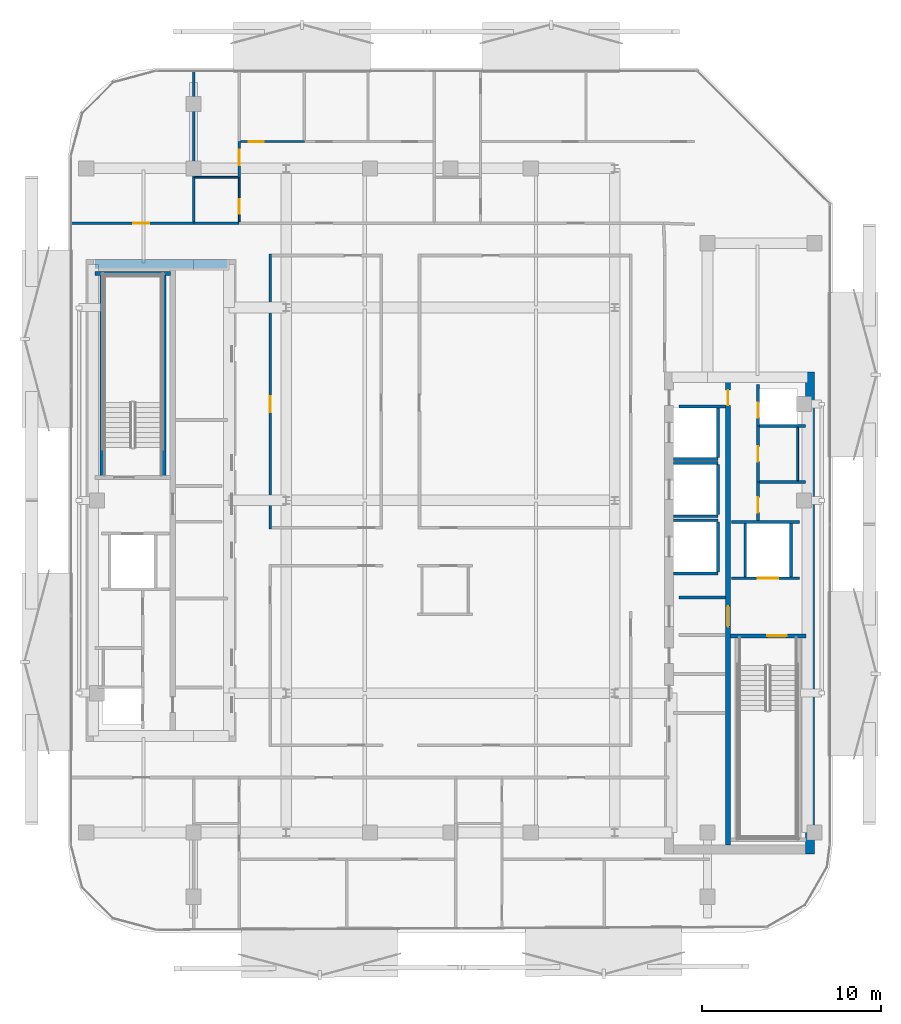
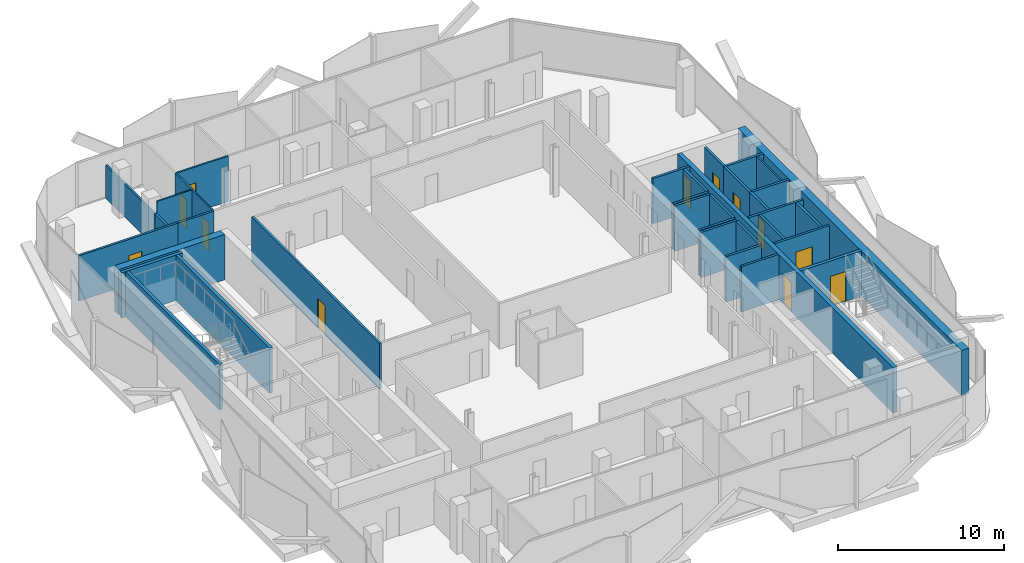
# One storey, part 5 of 15: 36 walls, 12 doors, 12 openings.
"""IFC4 building model written with IfcOpenShell, lengths in metres."""

from ifc_helpers import new_model, si_unit, direction, frame, frame_2d, origin, place, context, subcontext, project, spatial, rectangle, extrude, material, layer, layer_set, type_object, element, fill, save


model = new_model("IFC4")

# Units and contexts
model_context = context("Model", 3, precision=1e-05, world=origin(), true_north=direction((0.0, 1.0)))
body_context = subcontext(model_context, "Body", "Model", "MODEL_VIEW")
ifc_project = project(units=[si_unit("LENGTHUNIT", "METRE"), si_unit("AREAUNIT", "SQUARE_METRE"), si_unit("VOLUMEUNIT", "CUBIC_METRE"), si_unit("PLANEANGLEUNIT", "RADIAN"), si_unit("MASSUNIT", "GRAM", prefix="KILO")], contexts=[model_context])

# Site, building, storey
site_placement = place(None, origin())
site = spatial("IfcSite", under=ifc_project, at=site_placement, CompositionType="ELEMENT")
building_placement = place(site_placement, origin())
building = spatial("IfcBuilding", under=site, at=building_placement, Name="Khairoan Windgate Tower", CompositionType="ELEMENT")
storey_placement = place(building_placement, frame((0.0, 0.0, 262.0)))
storey = spatial("IfcBuildingStorey", under=building, at=storey_placement, Name="L62", CompositionType="ELEMENT", Elevation=262.0)

# Wall
ifc_material_1 = material(Name="Moisture-Resistant Gypsum Partition", Category="gypsum")
ifc_layer_1 = layer(ifc_material_1, 0.10009765625, Name="Moisture-Resistant Gypsum Partition")
ifc_layer_set_1 = layer_set([ifc_layer_1], Name="Moisture-Resistant Gypsum Partition")
wall_type_1 = type_object("IfcWallType", Name="Bathroom Wet-Area Partition Wall", PredefinedType="PARTITIONING", material=ifc_layer_set_1)
wall_1_placement = place(storey_placement, frame((-14.300048828125, 18.10009765625, 0.0), z_axis=(0.0, 0.0, 1.0), x_axis=(1.0, 0.0, 0.0)))
element("IfcWall", 1, at=wall_1_placement, inside=storey, type_object=wall_type_1, Name="L62 Interior Partition 041", PredefinedType="PARTITIONING", context=body_context, shape_type="SweptSolid", body=[
    extrude(rectangle(XDim=2.420166015625, YDim=0.10009765625, at=frame_2d((1.2099609375, 0.0))), origin(), (0.0, 0.0, 1.0), 3.340087890625),
])

# Wall, opening, door
wall_2_placement = place(storey_placement, frame((-11.830078125, 15.60009765625, 0.0), z_axis=(0.0, 0.0, 1.0), x_axis=(0.0, 1.0, 0.0)))
wall_2 = element("IfcWall", 2, at=wall_2_placement, inside=storey, type_object=wall_type_1, Name="L62 Interior Partition 042", PredefinedType="PARTITIONING", context=body_context, shape_type="SweptSolid", body=[
    extrude(rectangle(XDim=2.5, YDim=0.10009765625, at=frame_2d((1.25, 0.0))), origin(), (0.0, 0.0, 1.0), 3.340087890625),
])
opening_1_placement = place(wall_2_placement, frame((0.4599609375, 0.0, 0.0)))
opening_1 = element("IfcOpeningElement", 3, at=opening_1_placement, cuts=wall_2, Name="Opening ID-BTH", PredefinedType="OPENING", context=body_context, shape_type="SweptSolid", body=[
    extrude(rectangle(XDim=0.800048828125, YDim=2.10009765625, at=frame_2d((0.39990234375, 1.050048828125))), frame((0.0, 0.06005859375, 0.0), z_axis=(0.0, -1.0, 0.0), x_axis=(1.0, 0.0, 0.0)), (0.0, 0.0, 1.0), 0.1201171875),
])
ifc_material_2 = material(Name="Teak Veneer Timber Leaf", Category="wood")
door_type_1 = type_object("IfcDoorType", Name="Internal Bathroom Door ID-BTH 800x2100", OperationType="NOTDEFINED", PredefinedType="DOOR", material=ifc_material_2)
door_1_placement = place(opening_1_placement, origin())
door_1 = element("IfcDoor", 4, at=door_1_placement, inside=storey, type_object=door_type_1, Name="L62 L62-35-L62-37 Door", OperationType="SINGLE_SWING_RIGHT", OverallHeight=2.10009765625, OverallWidth=0.800048828125, PredefinedType="DOOR", context=body_context, shape_type="SweptSolid", body=[
    extrude(rectangle(XDim=0.800048828125, YDim=2.10009765625, at=frame_2d((0.39990234375, 1.050048828125))), frame((0.0, 0.02490234375, 0.0), z_axis=(0.0, -1.0, 0.0), x_axis=(1.0, 0.0, 0.0)), (0.0, 0.0, 1.0), 0.050048828125),
])
fill(opening_1, door_1)

# Walls
wall_3_placement = place(storey_placement, frame((19.449951171875, 4.090087890625, 0.0), z_axis=(0.0, 0.0, 1.0), x_axis=(0.0, -1.0, 0.0)))
element("IfcWall", 5, at=wall_3_placement, inside=storey, type_object=wall_type_1, Name="L62 Wet Room Side Wall 084", PredefinedType="PARTITIONING", context=body_context, shape_type="SweptSolid", body=[
    extrude(rectangle(XDim=2.97998046875, YDim=0.10009765625, at=frame_2d((1.489990234375, 0.0))), origin(), (0.0, 0.0, 1.0), 3.340087890625),
])
ifc_material_3 = material(Name="Concrete C40/50", Category="concrete")
ifc_layer_2 = layer(ifc_material_3, 0.159912109375, Name="Concrete C40/50")
ifc_layer_set_2 = layer_set([ifc_layer_2], Name="Concrete C40/50")
wall_type_2 = type_object("IfcWallType", Name="Core and Hoistway Enclosure Wall", PredefinedType="STANDARD", material=ifc_layer_set_2)
wall_4_placement = place(storey_placement, frame((12.5, 2.31005859375, 0.0), z_axis=(0.0, 0.0, 1.0), x_axis=(1.0, 0.0, 0.0)))
element("IfcWall", 6, at=wall_4_placement, inside=storey, type_object=wall_type_2, Name="L62 Lift PL7 Hoistway Divider S", PredefinedType="STANDARD", context=body_context, shape_type="SweptSolid", body=[
    extrude(rectangle(XDim=2.489990234375, YDim=0.159912109375, at=frame_2d((1.2451171875, 0.0))), origin(), (0.0, 0.0, 1.0), 3.340087890625),
])
wall_5_placement = place(storey_placement, frame((14.989990234375, 2.39990234375, 0.0), z_axis=(0.0, 0.0, 1.0), x_axis=(0.0, 1.0, 0.0)))
element("IfcWall", 7, at=wall_5_placement, inside=storey, type_object=wall_type_2, Name="L62 Lift PL7 Hoistway Back Wall", PredefinedType="STANDARD", context=body_context, shape_type="SweptSolid", body=[
    extrude(rectangle(XDim=2.800048828125, YDim=0.159912109375, at=frame_2d((1.39990234375, 0.0))), origin(), (0.0, 0.0, 1.0), 3.340087890625),
])
for number, where, z_axis, x_axis, name in (
    (8, (12.5, -0.889892578125, 0.0), (0.0, 0.0, 1.0), (1.0, 0.0, 0.0), "L62 Lift PL8 Hoistway Divider S"),
    (9, (12.5, 2.090087890625, 0.0), (0.0, 0.0, 1.0), (1.0, 0.0, 0.0), "L62 Lift PL8 Hoistway Divider N"),
):
    element("IfcWall", number, at=place(storey_placement, frame(where, z_axis=z_axis, x_axis=x_axis)), inside=storey, type_object=wall_type_2, Name=name, PredefinedType="STANDARD", context=body_context, shape_type="SweptSolid", body=[
        extrude(rectangle(XDim=2.489990234375, YDim=0.159912109375, at=frame_2d((1.2451171875, 0.0))), origin(), (0.0, 0.0, 1.0), 3.340087890625),
    ])
wall_6_placement = place(storey_placement, frame((14.989990234375, -0.800048828125, 0.0), z_axis=(0.0, 0.0, 1.0), x_axis=(0.0, 1.0, 0.0)))
element("IfcWall", 10, at=wall_6_placement, inside=storey, type_object=wall_type_2, Name="L62 Lift PL8 Hoistway Back Wall", PredefinedType="STANDARD", context=body_context, shape_type="SweptSolid", body=[
    extrude(rectangle(XDim=2.800048828125, YDim=0.159912109375, at=frame_2d((1.39990234375, 0.0))), origin(), (0.0, 0.0, 1.0), 3.340087890625),
])
for number, where, z_axis, x_axis, name in (
    (11, (12.5, -4.090087890625, 0.0), (0.0, 0.0, 1.0), (1.0, 0.0, 0.0), "L62 Lift PL9 Hoistway Divider S"),
    (12, (12.5, -1.110107421875, 0.0), (0.0, 0.0, 1.0), (1.0, 0.0, 0.0), "L62 Lift PL9 Hoistway Divider N"),
):
    element("IfcWall", number, at=place(storey_placement, frame(where, z_axis=z_axis, x_axis=x_axis)), inside=storey, type_object=wall_type_2, Name=name, PredefinedType="STANDARD", context=body_context, shape_type="SweptSolid", body=[
        extrude(rectangle(XDim=2.489990234375, YDim=0.159912109375, at=frame_2d((1.2451171875, 0.0))), origin(), (0.0, 0.0, 1.0), 3.340087890625),
    ])
wall_7_placement = place(storey_placement, frame((14.989990234375, -4.0, 0.0), z_axis=(0.0, 0.0, 1.0), x_axis=(0.0, 1.0, 0.0)))
element("IfcWall", 13, at=wall_7_placement, inside=storey, type_object=wall_type_2, Name="L62 Lift PL9 Hoistway Back Wall", PredefinedType="STANDARD", context=body_context, shape_type="SweptSolid", body=[
    extrude(rectangle(XDim=2.800048828125, YDim=0.159912109375, at=frame_2d((1.39990234375, 0.0))), origin(), (0.0, 0.0, 1.0), 3.340087890625),
])

# Wall, opening, door
wall_8_placement = place(storey_placement, frame((15.75, -4.360107421875, 0.0), z_axis=(0.0, 0.0, 1.0), x_axis=(1.0, 0.0, 0.0)))
wall_8 = element("IfcWall", 14, at=wall_8_placement, inside=storey, type_object=wall_type_2, Name="L62 Core Shaft Wall SW-FL1-L62", PredefinedType="STANDARD", context=body_context, shape_type="SweptSolid", body=[
    extrude(rectangle(XDim=3.800048828125, YDim=0.159912109375, at=frame_2d((1.89990234375, 0.0))), origin(), (0.0, 0.0, 1.0), 3.340087890625),
])
opening_2_placement = place(wall_8_placement, frame((1.469970703125, 0.0, 0.0)))
opening_2 = element("IfcOpeningElement", 15, at=opening_2_placement, cuts=wall_8, Name="Opening LD-FL", PredefinedType="OPENING", context=body_context, shape_type="SweptSolid", body=[
    extrude(rectangle(XDim=1.14990234375, YDim=2.199951171875, at=frame_2d((0.574951171875, 1.10009765625))), frame((0.0, 0.08984375, 0.0), z_axis=(0.0, -1.0, 0.0), x_axis=(1.0, 0.0, 0.0)), (0.0, 0.0, 1.0), 0.179931640625),
])
ifc_material_4 = material(Name="Steel S355", Category="steel")
door_type_2 = type_object("IfcDoorType", Name="Firefighting Lift Sliding Landing Door LD-FL 1150x2200", OperationType="DOUBLE_DOOR_SLIDING", PredefinedType="DOOR", material=ifc_material_4)
door_2_placement = place(opening_2_placement, origin())
door_2 = element("IfcDoor", 16, at=door_2_placement, inside=storey, type_object=door_type_2, Name="L62 Firefighting Lift FL1 Landing Door", OperationType="DOUBLE_DOOR_SLIDING", OverallHeight=2.199951171875, OverallWidth=1.14990234375, PredefinedType="DOOR", context=body_context, shape_type="SweptSolid", body=[
    extrude(rectangle(XDim=1.14990234375, YDim=2.199951171875, at=frame_2d((0.574951171875, 1.10009765625))), frame((0.0, 0.02490234375, 0.0), z_axis=(0.0, -1.0, 0.0), x_axis=(1.0, 0.0, 0.0)), (0.0, 0.0, 1.0), 0.050048828125),
])
fill(opening_2, door_2)

# Walls
wall_9_placement = place(storey_placement, frame((15.75, -1.219970703125, 0.0), z_axis=(0.0, 0.0, 1.0), x_axis=(1.0, 0.0, 0.0)))
element("IfcWall", 17, at=wall_9_placement, inside=storey, type_object=wall_type_2, Name="L62 Core Shaft Wall SW-FL1T-L62", PredefinedType="STANDARD", context=body_context, shape_type="SweptSolid", body=[
    extrude(rectangle(XDim=3.800048828125, YDim=0.159912109375, at=frame_2d((1.89990234375, 0.0))), origin(), (0.0, 0.0, 1.0), 3.340087890625),
])
for number, where, z_axis, x_axis, name in (
    (18, (16.52001953125, -4.280029296875, 0.0), (0.0, 0.0, 1.0), (0.0, 1.0, 0.0), "L62 Core Shaft Wall SW-FL1W-L62"),
    (19, (19.080078125, -4.280029296875, 0.0), (0.0, 0.0, 1.0), (0.0, 1.0, 0.0), "L62 Core Shaft Wall SW-FL1E-L62"),
):
    element("IfcWall", number, at=place(storey_placement, frame(where, z_axis=z_axis, x_axis=x_axis)), inside=storey, type_object=wall_type_2, Name=name, PredefinedType="STANDARD", context=body_context, shape_type="SweptSolid", body=[
        extrude(rectangle(XDim=2.97998046875, YDim=0.159912109375, at=frame_2d((1.489990234375, 0.0))), origin(), (0.0, 0.0, 1.0), 3.340087890625),
    ])
for number, where, z_axis, x_axis, name in (
    (20, (12.800048828125, -5.449951171875, 0.0), (0.0, 0.0, 1.0), (1.0, 0.0, 0.0), "L62 Core Shaft Wall SW-EV1-L62"),
    (21, (12.800048828125, 5.25, 0.0), (0.0, 0.0, 1.0), (1.0, 0.0, 0.0), "L62 Core Shaft Wall SW-ESV-L62"),
):
    element("IfcWall", number, at=place(storey_placement, frame(where, z_axis=z_axis, x_axis=x_axis)), inside=storey, type_object=wall_type_2, Name=name, PredefinedType="STANDARD", context=body_context, shape_type="SweptSolid", body=[
        extrude(rectangle(XDim=2.599853515625, YDim=0.159912109375, at=frame_2d((1.2998046875, 0.0))), origin(), (0.0, 0.0, 1.0), 3.340087890625),
    ])
ifc_material_5 = material(Name="Acoustic Fire-Rated Gypsum Partition", Category="gypsum")
ifc_layer_3 = layer(ifc_material_5, 0.139892578125, Name="Acoustic Fire-Rated Gypsum Partition")
ifc_layer_set_3 = layer_set([ifc_layer_3], Name="Acoustic Fire-Rated Gypsum Partition")
wall_type_3 = type_object("IfcWallType", Name="Inter-Tenancy Compartment Wall", PredefinedType="PARTITIONING", material=ifc_layer_set_3)
wall_10_placement = place(storey_placement, frame((-14.3701171875, 15.60009765625, 0.0), z_axis=(0.0, 0.0, 1.0), x_axis=(0.0, 1.0, 0.0)))
element("IfcWall", 22, at=wall_10_placement, inside=storey, type_object=wall_type_3, Name="L62 Interior Partition 043", PredefinedType="PARTITIONING", context=body_context, shape_type="SweptSolid", body=[
    extrude(rectangle(XDim=2.5, YDim=0.139892578125, at=frame_2d((1.25, 0.0))), origin(), (0.0, 0.0, 1.0), 2.43994140625),
])
wall_11_placement = place(storey_placement, frame((-14.3701171875, 18.10009765625, 0.0), z_axis=(0.0, 0.0, 1.0), x_axis=(0.0, 1.0, 0.0)))
element("IfcWall", 23, at=wall_11_placement, inside=storey, type_object=wall_type_3, Name="L62 Interior Partition 046", PredefinedType="PARTITIONING", context=body_context, shape_type="SweptSolid", body=[
    extrude(rectangle(XDim=5.954833984375, YDim=0.139892578125, at=frame_2d((2.9775390625, 0.0))), origin(), (0.0, 0.0, 1.0), 2.43994140625),
])

# Wall, opening, door
ifc_material_6 = material(Name="Gypsum Stud Partition", Category="gypsum")
ifc_layer_4 = layer(ifc_material_6, 0.1201171875, Name="Gypsum Stud Partition")
ifc_layer_set_4 = layer_set([ifc_layer_4], Name="Gypsum Stud Partition")
wall_type_4 = type_object("IfcWallType", Name="Internal Room Partition Wall", PredefinedType="PARTITIONING", material=ifc_layer_set_4)
wall_12_placement = place(storey_placement, frame((-11.830078125, 18.10009765625, 0.0), z_axis=(0.0, 0.0, 1.0), x_axis=(0.0, 1.0, 0.0)))
wall_12 = element("IfcWall", 24, at=wall_12_placement, inside=storey, type_object=wall_type_4, Name="L62 Interior Partition 044", PredefinedType="PARTITIONING", context=body_context, shape_type="SweptSolid", body=[
    extrude(rectangle(XDim=2.0, YDim=0.1201171875, at=frame_2d((1.0, 0.0))), origin(), (0.0, 0.0, 1.0), 3.340087890625),
])
opening_3_placement = place(wall_12_placement, frame((0.679931640625, 0.0, 0.0)))
opening_3 = element("IfcOpeningElement", 25, at=opening_3_placement, cuts=wall_12, Name="Opening ID-RM", PredefinedType="OPENING", context=body_context, shape_type="SweptSolid", body=[
    extrude(rectangle(XDim=0.860107421875, YDim=2.14990234375, at=frame_2d((0.43017578125, 1.074951171875))), frame((0.0, 0.070068359375, 0.0), z_axis=(0.0, -1.0, 0.0), x_axis=(1.0, 0.0, 0.0)), (0.0, 0.0, 1.0), 0.14013671875),
])
ifc_material_7 = material(Name="Teak Veneer Timber Leaf", Category="wood")
door_type_3 = type_object("IfcDoorType", Name="Internal Bedroom and Office Door ID-RM 860x2150", OperationType="NOTDEFINED", PredefinedType="DOOR", material=ifc_material_7)
door_3_placement = place(opening_3_placement, origin())
door_3 = element("IfcDoor", 26, at=door_3_placement, inside=storey, type_object=door_type_3, Name="L62 L62-36-L62-37 Door", OperationType="SINGLE_SWING_LEFT", OverallHeight=2.14990234375, OverallWidth=0.860107421875, PredefinedType="DOOR", context=body_context, shape_type="SweptSolid", body=[
    extrude(rectangle(XDim=0.860107421875, YDim=2.14990234375, at=frame_2d((0.43017578125, 1.074951171875))), frame((0.0, 0.02490234375, 0.0), z_axis=(0.0, -1.0, 0.0), x_axis=(1.0, 0.0, 0.0)), (0.0, 0.0, 1.0), 0.050048828125),
])
fill(opening_3, door_3)

wall_13_placement = place(storey_placement, frame((-11.77001953125, 20.10009765625, 0.0), z_axis=(0.0, 0.0, 1.0), x_axis=(1.0, 0.0, 0.0)))
wall_13 = element("IfcWall", 27, at=wall_13_placement, inside=storey, type_object=wall_type_4, Name="L62 Interior Partition 047", PredefinedType="PARTITIONING", context=body_context, shape_type="SweptSolid", body=[
    extrude(rectangle(XDim=3.5830078125, YDim=0.1201171875, at=frame_2d((1.79150390625, 0.0))), origin(), (0.0, 0.0, 1.0), 3.340087890625),
])
opening_4_placement = place(wall_13_placement, frame((0.4599609375, 0.0, 0.0)))
opening_4 = element("IfcOpeningElement", 28, at=opening_4_placement, cuts=wall_13, Name="Opening ID-RM", PredefinedType="OPENING", context=body_context, shape_type="SweptSolid", body=[
    extrude(rectangle(XDim=0.860107421875, YDim=2.14990234375, at=frame_2d((0.43017578125, 1.074951171875))), frame((0.0, 0.070068359375, 0.0), z_axis=(0.0, -1.0, 0.0), x_axis=(1.0, 0.0, 0.0)), (0.0, 0.0, 1.0), 0.14013671875),
])
door_4_placement = place(opening_4_placement, origin())
door_4 = element("IfcDoor", 29, at=door_4_placement, inside=storey, type_object=door_type_3, Name="L62 L62-37-L62-38 Door", OperationType="SINGLE_SWING_RIGHT", OverallHeight=2.14990234375, OverallWidth=0.860107421875, PredefinedType="DOOR", context=body_context, shape_type="SweptSolid", body=[
    extrude(rectangle(XDim=0.860107421875, YDim=2.14990234375, at=frame_2d((0.43017578125, 1.074951171875))), frame((0.0, 0.02490234375, 0.0), z_axis=(0.0, -1.0, 0.0), x_axis=(1.0, 0.0, 0.0)), (0.0, 0.0, 1.0), 0.050048828125),
])
fill(opening_4, door_4)

ifc_material_8 = material(Name="Concrete C40/50", Category="concrete")
ifc_layer_5 = layer(ifc_material_8, 0.159912109375, Name="Concrete C40/50")
ifc_layer_set_5 = layer_set([ifc_layer_5], Name="Concrete C40/50")
wall_type_5 = type_object("IfcWallType", Name="Plant and Refuge Compartment Wall", PredefinedType="PARTITIONING", material=ifc_layer_set_5)
wall_14_placement = place(storey_placement, frame((17.22998046875, 4.169921875, 0.0), z_axis=(0.0, 0.0, 1.0), x_axis=(0.0, 1.0, 0.0)))
wall_14 = element("IfcWall", 30, at=wall_14_placement, inside=storey, type_object=wall_type_5, Name="L62 Interior Partition 008", PredefinedType="PARTITIONING", context=body_context, shape_type="SweptSolid", body=[
    extrude(rectangle(XDim=2.320068359375, YDim=0.159912109375, at=frame_2d((1.16015625, 0.0))), origin(), (0.0, 0.0, 1.0), 3.340087890625),
])
opening_5_placement = place(wall_14_placement, frame((0.4599609375, 0.0, 0.0)))
opening_5 = element("IfcOpeningElement", 31, at=opening_5_placement, cuts=wall_14, Name="Opening FD-SRV", PredefinedType="OPENING", context=body_context, shape_type="SweptSolid", body=[
    extrude(rectangle(XDim=0.85009765625, YDim=2.10009765625, at=frame_2d((0.425048828125, 1.050048828125))), frame((0.0, 0.08984375, 0.0), z_axis=(0.0, -1.0, 0.0), x_axis=(1.0, 0.0, 0.0)), (0.0, 0.0, 1.0), 0.179931640625),
])
ifc_material_9 = material(Name="Steel S355", Category="steel")
door_type_4 = type_object("IfcDoorType", Name="Core Service and Riser Fire Door FD-SRV 850x2100", OperationType="NOTDEFINED", PredefinedType="DOOR", material=ifc_material_9)
door_5_placement = place(opening_5_placement, origin())
door_5 = element("IfcDoor", 32, at=door_5_placement, inside=storey, type_object=door_type_4, Name="L62 L62-17-L62-18 Door", OperationType="SINGLE_SWING_LEFT", OverallHeight=2.10009765625, OverallWidth=0.85009765625, PredefinedType="DOOR", context=body_context, shape_type="SweptSolid", body=[
    extrude(rectangle(XDim=0.85009765625, YDim=2.10009765625, at=frame_2d((0.425048828125, 1.050048828125))), frame((0.0, 0.02490234375, 0.0), z_axis=(0.0, -1.0, 0.0), x_axis=(1.0, 0.0, 0.0)), (0.0, 0.0, 1.0), 0.050048828125),
])
fill(opening_5, door_5)

wall_15_placement = place(storey_placement, frame((17.22998046875, -1.139892578125, 0.0), z_axis=(0.0, 0.0, 1.0), x_axis=(0.0, 1.0, 0.0)))
wall_15 = element("IfcWall", 33, at=wall_15_placement, inside=storey, type_object=wall_type_5, Name="L62 Interior Partition 009", PredefinedType="PARTITIONING", context=body_context, shape_type="SweptSolid", body=[
    extrude(rectangle(XDim=2.169921875, YDim=0.159912109375, at=frame_2d((1.0849609375, 0.0))), origin(), (0.0, 0.0, 1.0), 3.340087890625),
])
opening_6_placement = place(wall_15_placement, frame((0.4599609375, 0.0, 0.0)))
opening_6 = element("IfcOpeningElement", 34, at=opening_6_placement, cuts=wall_15, Name="Opening FD-SRV", PredefinedType="OPENING", context=body_context, shape_type="SweptSolid", body=[
    extrude(rectangle(XDim=0.85009765625, YDim=2.10009765625, at=frame_2d((0.425048828125, 1.050048828125))), frame((0.0, 0.08984375, 0.0), z_axis=(0.0, -1.0, 0.0), x_axis=(1.0, 0.0, 0.0)), (0.0, 0.0, 1.0), 0.179931640625),
])
door_6_placement = place(opening_6_placement, origin())
door_6 = element("IfcDoor", 35, at=door_6_placement, inside=storey, type_object=door_type_4, Name="L62 L62-17-L62-19 Door", OperationType="SINGLE_SWING_RIGHT", OverallHeight=2.10009765625, OverallWidth=0.85009765625, PredefinedType="DOOR", context=body_context, shape_type="SweptSolid", body=[
    extrude(rectangle(XDim=0.85009765625, YDim=2.10009765625, at=frame_2d((0.425048828125, 1.050048828125))), frame((0.0, 0.02490234375, 0.0), z_axis=(0.0, -1.0, 0.0), x_axis=(1.0, 0.0, 0.0)), (0.0, 0.0, 1.0), 0.050048828125),
])
fill(opening_6, door_6)

wall_16_placement = place(storey_placement, frame((17.22998046875, 1.030029296875, 0.0), z_axis=(0.0, 0.0, 1.0), x_axis=(0.0, 1.0, 0.0)))
wall_16 = element("IfcWall", 36, at=wall_16_placement, inside=storey, type_object=wall_type_5, Name="L62 Interior Partition 010", PredefinedType="PARTITIONING", context=body_context, shape_type="SweptSolid", body=[
    extrude(rectangle(XDim=3.139892578125, YDim=0.159912109375, at=frame_2d((1.56982421875, 0.0))), origin(), (0.0, 0.0, 1.0), 3.340087890625),
])
opening_7_placement = place(wall_16_placement, frame((1.14501953125, 0.0, 0.0)))
opening_7 = element("IfcOpeningElement", 37, at=opening_7_placement, cuts=wall_16, Name="Opening FD-SRV", PredefinedType="OPENING", context=body_context, shape_type="SweptSolid", body=[
    extrude(rectangle(XDim=0.85009765625, YDim=2.10009765625, at=frame_2d((0.425048828125, 1.050048828125))), frame((0.0, 0.08984375, 0.0), z_axis=(0.0, -1.0, 0.0), x_axis=(1.0, 0.0, 0.0)), (0.0, 0.0, 1.0), 0.179931640625),
])
door_7_placement = place(opening_7_placement, origin())
door_7 = element("IfcDoor", 38, at=door_7_placement, inside=storey, type_object=door_type_4, Name="L62 L62-17-L62-20 Door", OperationType="SINGLE_SWING_LEFT", OverallHeight=2.10009765625, OverallWidth=0.85009765625, PredefinedType="DOOR", context=body_context, shape_type="SweptSolid", body=[
    extrude(rectangle(XDim=0.85009765625, YDim=2.10009765625, at=frame_2d((0.425048828125, 1.050048828125))), frame((0.0, 0.02490234375, 0.0), z_axis=(0.0, -1.0, 0.0), x_axis=(1.0, 0.0, 0.0)), (0.0, 0.0, 1.0), 0.050048828125),
])
fill(opening_7, door_7)

# Walls
for number, where, z_axis, x_axis, name in (
    (39, (17.31005859375, 4.169921875, 0.0), (0.0, 0.0, 1.0), (1.0, 0.0, 0.0), "L62 Interior Partition 011"),
    (40, (17.31005859375, 1.030029296875, 0.0), (0.0, 0.0, 1.0), (1.0, 0.0, 0.0), "L62 Interior Partition 012"),
):
    element("IfcWall", number, at=place(storey_placement, frame(where, z_axis=z_axis, x_axis=x_axis)), inside=storey, type_object=wall_type_5, Name=name, PredefinedType="PARTITIONING", context=body_context, shape_type="SweptSolid", body=[
        extrude(rectangle(XDim=2.58984375, YDim=0.159912109375, at=frame_2d((1.294921875, 0.0))), origin(), (0.0, 0.0, 1.0), 3.340087890625),
    ])

# Wall, opening, door
ifc_material_10 = material(Name="Acoustic Fire-Rated Gypsum Partition", Category="gypsum")
ifc_layer_6 = layer(ifc_material_10, 0.14990234375, Name="Acoustic Fire-Rated Gypsum Partition")
ifc_layer_set_6 = layer_set([ifc_layer_6], Name="Acoustic Fire-Rated Gypsum Partition")
wall_type_6 = type_object("IfcWallType", Name="Rated Corridor Partition Wall", PredefinedType="PARTITIONING", material=ifc_layer_set_6)
wall_17_placement = place(storey_placement, frame((-10.10009765625, -1.610107421875, 0.0), z_axis=(0.0, 0.0, 1.0), x_axis=(0.0, 1.0, 0.0)))
wall_17 = element("IfcWall", 41, at=wall_17_placement, inside=storey, type_object=wall_type_6, Name="L62 Interior Partition 015", PredefinedType="PARTITIONING", context=body_context, shape_type="SweptSolid", body=[
    extrude(rectangle(XDim=15.405029296875, YDim=0.14990234375, at=frame_2d((7.70263671875, 0.0))), origin(), (0.0, 0.0, 1.0), 3.340087890625),
])
opening_8_placement = place(wall_17_placement, frame((6.542724609375, 0.0, 0.0)))
opening_8 = element("IfcOpeningElement", 42, at=opening_8_placement, cuts=wall_17, Name="Opening FD-ENT", PredefinedType="OPENING", context=body_context, shape_type="SweptSolid", body=[
    extrude(rectangle(XDim=0.89990234375, YDim=2.14990234375, at=frame_2d((0.449951171875, 1.074951171875))), frame((0.0, 0.0849609375, 0.0), z_axis=(0.0, -1.0, 0.0), x_axis=(1.0, 0.0, 0.0)), (0.0, 0.0, 1.0), 0.169921875),
])
ifc_material_11 = material(Name="Timber Fire-Rated Core", Category="wood")
door_type_5 = type_object("IfcDoorType", Name="Unit and Office Fire Entrance Door FD-ENT 900x2150", OperationType="NOTDEFINED", PredefinedType="DOOR", material=ifc_material_11)
door_8_placement = place(opening_8_placement, origin())
door_8 = element("IfcDoor", 43, at=door_8_placement, inside=storey, type_object=door_type_5, Name="L62 L62-29-L62-59 Door", OperationType="SINGLE_SWING_RIGHT", OverallHeight=2.14990234375, OverallWidth=0.89990234375, PredefinedType="DOOR", context=body_context, shape_type="SweptSolid", body=[
    extrude(rectangle(XDim=0.89990234375, YDim=2.14990234375, at=frame_2d((0.449951171875, 1.074951171875))), frame((0.0, 0.02490234375, 0.0), z_axis=(0.0, -1.0, 0.0), x_axis=(1.0, 0.0, 0.0)), (0.0, 0.0, 1.0), 0.050048828125),
])
fill(opening_8, door_8)

# Wall
wall_18_placement = place(storey_placement, frame((-14.3701171875, 15.52490234375, 0.0), z_axis=(0.0, 0.0, 1.0), x_axis=(1.0, 0.0, 0.0)))
element("IfcWall", 44, at=wall_18_placement, inside=storey, type_object=wall_type_6, Name="L62 Interior Partition 026", PredefinedType="PARTITIONING", context=body_context, shape_type="SweptSolid", body=[
    extrude(rectangle(XDim=2.5400390625, YDim=0.14990234375, at=frame_2d((1.27001953125, 0.0))), origin(), (0.0, 0.0, 1.0), 3.340087890625),
])

# Wall, opening, door
wall_19_placement = place(storey_placement, frame((-21.2548828125, 15.52001953125, 0.0), z_axis=(0.0, 0.0, 1.0), x_axis=(0.999999748504, 0.00070921968, 0.0)))
wall_19 = element("IfcWall", 45, at=wall_19_placement, inside=storey, type_object=wall_type_6, Name="L62 Interior Partition 031", PredefinedType="PARTITIONING", context=body_context, shape_type="SweptSolid", body=[
    extrude(rectangle(XDim=6.884765625, YDim=0.14990234375, at=frame_2d((3.4423828125, 0.0))), origin(), (0.0, 0.0, 1.0), 3.340087890625),
])
opening_9_placement = place(wall_19_placement, frame((3.4990234375, 0.0, 0.0)))
opening_9 = element("IfcOpeningElement", 46, at=opening_9_placement, cuts=wall_19, Name="Opening FD-ENT", PredefinedType="OPENING", context=body_context, shape_type="SweptSolid", body=[
    extrude(rectangle(XDim=0.89990234375, YDim=2.14990234375, at=frame_2d((0.449951171875, 1.074951171875))), frame((0.0, 0.0849609375, 0.0), z_axis=(0.0, -1.0, 0.0), x_axis=(1.0, 0.0, 0.0)), (0.0, 0.0, 1.0), 0.169921875),
])
door_9_placement = place(opening_9_placement, origin())
door_9 = element("IfcDoor", 47, at=door_9_placement, inside=storey, type_object=door_type_5, Name="L62 L62-33-L62-57 Door", OperationType="SINGLE_SWING_RIGHT", OverallHeight=2.14990234375, OverallWidth=0.89990234375, PredefinedType="DOOR", context=body_context, shape_type="SweptSolid", body=[
    extrude(rectangle(XDim=0.89990234375, YDim=2.14990234375, at=frame_2d((0.449951171875, 1.074951171875))), frame((0.0, 0.02490234375, 0.0), z_axis=(0.0, -1.0, 0.0), x_axis=(1.0, 0.0, 0.0)), (0.0, 0.0, 1.0), 0.050048828125),
])
fill(opening_9, door_9)

# Walls
ifc_material_12 = material(Name="Concrete C50/60", Category="concrete")
ifc_layer_7 = layer(ifc_material_12, 0.5, Name="Concrete C50/60")
ifc_layer_set_7 = layer_set([ifc_layer_7], Name="Concrete C50/60")
wall_type_7 = type_object("IfcWallType", Name="Shear Wall CW-E3 500mm", PredefinedType="SHEAR", material=ifc_layer_set_7)
wall_20_placement = place(storey_placement, frame((20.14990234375, -19.800048828125, 0.0), z_axis=(0.0, 0.0, 1.0), x_axis=(0.0, 1.0, 0.0)))
element("IfcWall", 48, at=wall_20_placement, inside=storey, type_object=wall_type_7, Name="E Core East Shear Wall L62", PredefinedType="SHEAR", context=body_context, shape_type="SweptSolid", body=[
    extrude(rectangle(XDim=27.0, YDim=0.5, at=frame_2d((13.5, 0.0))), origin(), (0.0, 0.0, 1.0), 3.340087890625),
])
ifc_material_13 = material(Name="Concrete C50/60", Category="concrete")
ifc_layer_8 = layer(ifc_material_13, 0.5, Name="Concrete C50/60")
ifc_layer_set_8 = layer_set([ifc_layer_8], Name="Concrete C50/60")
wall_type_8 = type_object("IfcWallType", Name="Shear Wall CW-W3 500mm", PredefinedType="SHEAR", material=ifc_layer_set_8)
wall_21_placement = place(storey_placement, frame((-19.89990234375, 13.25, 0.0), z_axis=(0.0, 0.0, 1.0), x_axis=(1.0, 0.0, 0.0)))
element("IfcWall", 49, at=wall_21_placement, inside=storey, type_object=wall_type_8, Name="W Core North Shear Wall L62", PredefinedType="SHEAR", context=body_context, shape_type="SweptSolid", body=[
    extrude(rectangle(XDim=7.39990234375, YDim=0.5, at=frame_2d((3.699951171875, 0.0))), origin(), (0.0, 0.0, 1.0), 3.340087890625),
])

# Wall, openings, doors
ifc_material_14 = material(Name="Concrete C50/60", Category="concrete")
ifc_layer_9 = layer(ifc_material_14, 0.300048828125, Name="Concrete C50/60")
ifc_layer_set_9 = layer_set([ifc_layer_9], Name="Concrete C50/60")
wall_type_9 = type_object("IfcWallType", Name="Shear Wall SW-2 300mm", PredefinedType="SHEAR", material=ifc_layer_set_9)
wall_22_placement = place(storey_placement, frame((15.550048828125, -19.300048828125, 0.0), z_axis=(0.0, 0.0, 1.0), x_axis=(0.0, 1.0, 0.0)))
wall_22 = element("IfcWall", 50, at=wall_22_placement, inside=storey, type_object=wall_type_9, Name="E Core Spine Shear Wall L62", PredefinedType="SHEAR", context=body_context, shape_type="SweptSolid", body=[
    extrude(rectangle(XDim=26.0, YDim=0.300048828125, at=frame_2d((13.0, 0.0))), origin(), (0.0, 0.0, 1.0), 3.340087890625),
])
opening_10_placement = place(wall_22_placement, frame((12.22509765625, 0.0, 0.0)))
opening_10 = element("IfcOpeningElement", 51, at=opening_10_placement, cuts=wall_22, Name="Opening FD-FFL", PredefinedType="OPENING", context=body_context, shape_type="SweptSolid", body=[
    extrude(rectangle(XDim=1.14990234375, YDim=2.199951171875, at=frame_2d((0.574951171875, 1.10009765625))), frame((0.0, 0.159912109375, 0.0), z_axis=(0.0, -1.0, 0.0), x_axis=(1.0, 0.0, 0.0)), (0.0, 0.0, 1.0), 0.320068359375),
])
opening_11_placement = place(wall_22_placement, frame((24.625, 0.0, 0.0)))
opening_11 = element("IfcOpeningElement", 52, at=opening_11_placement, cuts=wall_22, Name="Opening FD-SRV", PredefinedType="OPENING", context=body_context, shape_type="SweptSolid", body=[
    extrude(rectangle(XDim=0.85009765625, YDim=2.10009765625, at=frame_2d((0.425048828125, 1.050048828125))), frame((0.0, 0.159912109375, 0.0), z_axis=(0.0, -1.0, 0.0), x_axis=(1.0, 0.0, 0.0)), (0.0, 0.0, 1.0), 0.320068359375),
])
door_10_placement = place(opening_11_placement, origin())
door_10 = element("IfcDoor", 53, at=door_10_placement, inside=storey, type_object=door_type_4, Name="L62 East Core Service Passage Inner Door", OperationType="SINGLE_SWING_LEFT", OverallHeight=2.10009765625, OverallWidth=0.85009765625, PredefinedType="DOOR", context=body_context, shape_type="SweptSolid", body=[
    extrude(rectangle(XDim=0.85009765625, YDim=2.10009765625, at=frame_2d((0.425048828125, 1.050048828125))), frame((0.0, 0.02490234375, 0.0), z_axis=(0.0, -1.0, 0.0), x_axis=(1.0, 0.0, 0.0)), (0.0, 0.0, 1.0), 0.050048828125),
])
fill(opening_11, door_10)
ifc_material_15 = material(Name="Steel S355", Category="steel")
door_type_6 = type_object("IfcDoorType", Name="Firefighting Lobby Fire Door FD-FFL 1150x2200", OperationType="NOTDEFINED", PredefinedType="DOOR", material=ifc_material_15)
door_11_placement = place(opening_10_placement, origin())
door_11 = element("IfcDoor", 54, at=door_11_placement, inside=storey, type_object=door_type_6, Name="L62 East Firefighting Lobby Fire Door", OperationType="SINGLE_SWING_LEFT", OverallHeight=2.199951171875, OverallWidth=1.14990234375, PredefinedType="DOOR", context=body_context, shape_type="SweptSolid", body=[
    extrude(rectangle(XDim=1.14990234375, YDim=2.199951171875, at=frame_2d((0.574951171875, 1.10009765625))), frame((0.0, 0.02490234375, 0.0), z_axis=(0.0, -1.0, 0.0), x_axis=(1.0, 0.0, 0.0)), (0.0, 0.0, 1.0), 0.050048828125),
])
fill(opening_10, door_11)

# Wall, opening, door
ifc_material_16 = material(Name="Concrete C50/60", Category="concrete")
ifc_layer_10 = layer(ifc_material_16, 0.219970703125, Name="Concrete C50/60")
ifc_layer_set_10 = layer_set([ifc_layer_10], Name="Concrete C50/60")
wall_type_10 = type_object("IfcWallType", Name="Shear Wall SW-ST 220mm", PredefinedType="SHEAR", material=ifc_layer_set_10)
wall_23_placement = place(storey_placement, frame((19.919921875, -7.590087890625, 0.0), z_axis=(0.0, 0.0, 1.0), x_axis=(-1.0, 0.0, 0.0)))
wall_23 = element("IfcWall", 55, at=wall_23_placement, inside=storey, type_object=wall_type_10, Name="L62 Stair ST1 North Bearing Wall", PredefinedType="SHEAR", context=body_context, shape_type="SweptSolid", body=[
    extrude(rectangle(XDim=4.239990234375, YDim=0.219970703125, at=frame_2d((2.1201171875, 0.0))), origin(), (0.0, 0.0, 1.0), 3.340087890625),
])
opening_12_placement = place(wall_23_placement, frame((1.080078125, 0.0, 0.0)))
opening_12 = element("IfcOpeningElement", 56, at=opening_12_placement, cuts=wall_23, Name="Opening FD-ST", PredefinedType="OPENING", context=body_context, shape_type="SweptSolid", body=[
    extrude(rectangle(XDim=1.10009765625, YDim=2.199951171875, at=frame_2d((0.550048828125, 1.10009765625))), frame((0.0, 0.119873046875, 0.0), z_axis=(0.0, -1.0, 0.0), x_axis=(1.0, 0.0, 0.0)), (0.0, 0.0, 1.0), 0.239990234375),
])
ifc_material_17 = material(Name="Steel S355", Category="steel")
door_type_7 = type_object("IfcDoorType", Name="Smokeproof Stair Fire Door FD-ST 1100x2200", OperationType="NOTDEFINED", PredefinedType="DOOR", material=ifc_material_17)
door_12_placement = place(opening_12_placement, origin())
door_12 = element("IfcDoor", 57, at=door_12_placement, inside=storey, type_object=door_type_7, Name="L62 Stair ST1 Fire Door", OperationType="SINGLE_SWING_LEFT", OverallHeight=2.199951171875, OverallWidth=1.10009765625, PredefinedType="DOOR", context=body_context, shape_type="SweptSolid", body=[
    extrude(rectangle(XDim=1.10009765625, YDim=2.199951171875, at=frame_2d((0.550048828125, 1.10009765625))), frame((0.0, 0.02490234375, 0.0), z_axis=(0.0, -1.0, 0.0), x_axis=(1.0, 0.0, 0.0)), (0.0, 0.0, 1.0), 0.050048828125),
])
fill(opening_12, door_12)

# Walls
for number, where, z_axis, x_axis, name in (
    (58, (-16.0400390625, 1.2900390625, 0.0), (0.0, 0.0, 1.0), (0.0, 1.0, 0.0), "L62 Stair ST2 East Bearing Wall"),
    (59, (-19.530029296875, 1.2900390625, 0.0), (0.0, 0.0, 1.0), (0.0, 1.0, 0.0), "L62 Stair ST2 West Bearing Wall"),
):
    element("IfcWall", number, at=place(storey_placement, frame(where, z_axis=z_axis, x_axis=x_axis)), inside=storey, type_object=wall_type_10, Name=name, PredefinedType="SHEAR", context=body_context, shape_type="SweptSolid", body=[
        extrude(rectangle(XDim=11.419921875, YDim=0.219970703125, at=frame_2d((5.7099609375, 0.0))), origin(), (0.0, 0.0, 1.0), 3.340087890625),
    ])
wall_24_placement = place(storey_placement, frame((-19.919921875, 12.7099609375, 0.0), z_axis=(0.0, 0.0, 1.0), x_axis=(1.0, 0.0, 0.0)))
element("IfcWall", 60, at=wall_24_placement, inside=storey, type_object=wall_type_10, Name="L62 Stair ST2 North Bearing Wall", PredefinedType="SHEAR", context=body_context, shape_type="SweptSolid", body=[
    extrude(rectangle(XDim=4.239990234375, YDim=0.219970703125, at=frame_2d((2.1201171875, 0.0))), origin(), (0.0, 0.0, 1.0), 3.340087890625),
])

save(model, "model.ifc")
